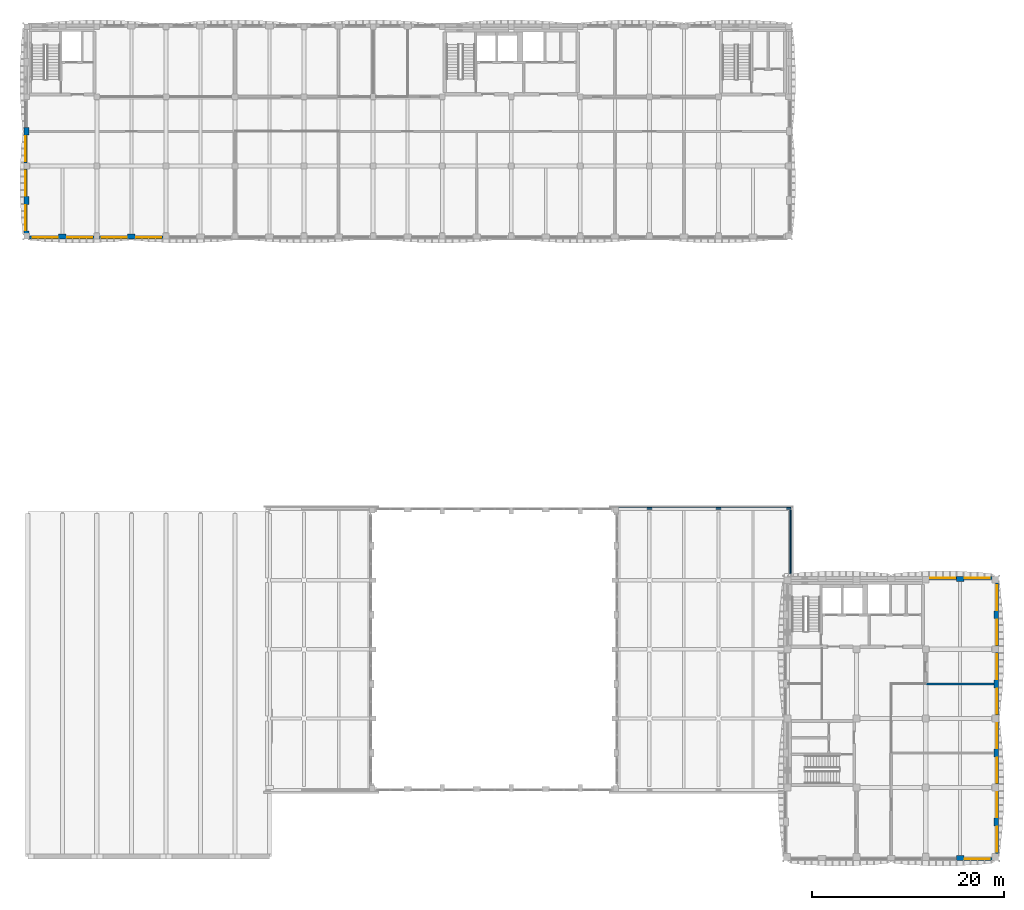
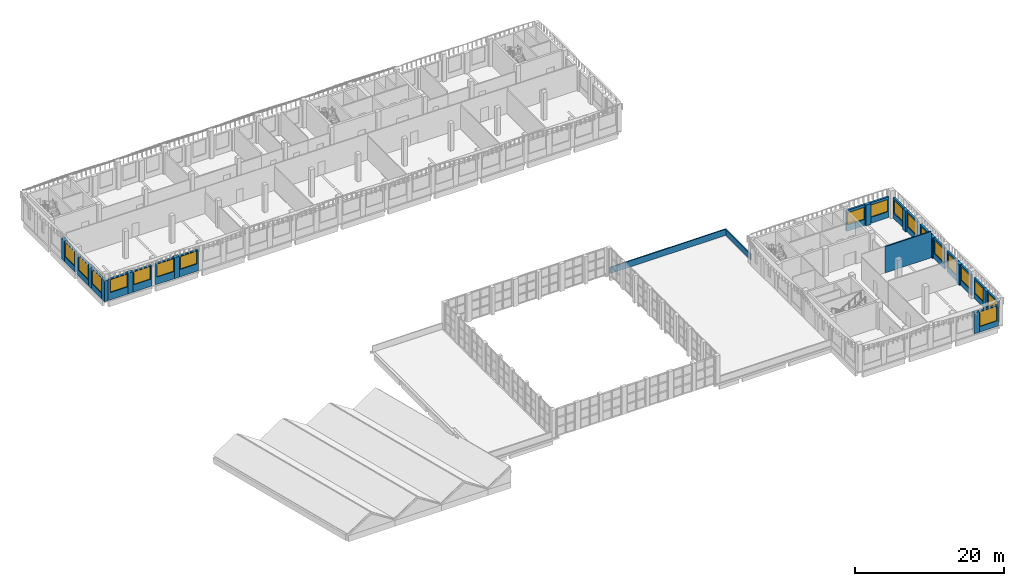
# One storey, part 16 of 44: 32 walls, 18 windows, 18 openings.
"""IFC4 building model written with IfcOpenShell, lengths in metres."""

from ifc_helpers import new_model, si_unit, direction, frame, frame_2d, origin, place, context, subcontext, project, spatial, rectangle, extrude, material, layer, layer_set, type_object, element, fill, save


model = new_model("IFC4")

# Units and contexts
model_context = context("Model", 3, precision=1e-05, world=origin(), true_north=direction((0.0, 1.0)))
body_context = subcontext(model_context, "Body", "Model", "MODEL_VIEW")
ifc_project = project(units=[si_unit("LENGTHUNIT", "METRE"), si_unit("AREAUNIT", "SQUARE_METRE"), si_unit("VOLUMEUNIT", "CUBIC_METRE"), si_unit("PLANEANGLEUNIT", "RADIAN"), si_unit("MASSUNIT", "GRAM", prefix="KILO")], contexts=[model_context])

# Site, building, storey
site_placement = place(None, origin())
site = spatial("IfcSite", under=ifc_project, at=site_placement, CompositionType="ELEMENT")
building_placement = place(site_placement, origin())
building = spatial("IfcBuilding", under=site, at=building_placement, Name="Ussher Court Research Institute", CompositionType="ELEMENT")
storey_placement = place(building_placement, frame((0.0, 0.0, 18.89990234375)))
storey = spatial("IfcBuildingStorey", under=building, at=storey_placement, Name="L04", CompositionType="ELEMENT", Elevation=18.89990234375)

# Wall
ifc_material_1 = material(Name="Plasterboard on steel studs with mineral wool", Category="steel")
ifc_layer_1 = layer(ifc_material_1, 0.179931640625)
ifc_layer_set_1 = layer_set([ifc_layer_1], Name="Plasterboard on steel studs with mineral wool")
wall_type_1 = type_object("IfcWallType", Name="Acoustic twin-stud partition 180", PredefinedType="PARTITIONING", material=ifc_layer_set_1)
wall_1_placement = place(storey_placement, frame((96.60009765625, 22.0, 0.0), z_axis=(0.0, 0.0, 1.0), x_axis=(1.0, 0.0, 0.0)))
element("IfcWall", 1, at=wall_1_placement, inside=storey, type_object=wall_type_1, Name="Partition", PredefinedType="PARTITIONING", context=body_context, shape_type="SweptSolid", body=[
    extrude(rectangle(XDim=7.099853515625, YDim=0.179931640625, at=frame_2d((3.5498046875, 0.0))), origin(), (0.0, 0.0, 1.0), 4.300048828125),
])

# Wall, opening, window
ifc_material_2 = material(Name="Blockwork with cream render", Category="masonry")
ifc_layer_2 = layer(ifc_material_2, 0.300048828125)
ifc_layer_set_2 = layer_set([ifc_layer_2], Name="Blockwork with cream render")
wall_type_2 = type_object("IfcWallType", Name="External wall 300 cream render", PredefinedType="SOLIDWALL", material=ifc_layer_set_2)
wall_2_placement = place(storey_placement, frame((96.949951171875, 33.050048828125, 0.0), z_axis=(0.0, 0.0, 1.0), x_axis=(1.0, 0.0, 0.0)))
wall_2 = element("IfcWall", 2, at=wall_2_placement, inside=storey, type_object=wall_type_2, Name="External wall EW1 L04", PredefinedType="SOLIDWALL", context=body_context, shape_type="SweptSolid", body=[
    extrude(rectangle(XDim=2.85009765625, YDim=0.300048828125, at=frame_2d((1.425048828125, 0.0))), origin(), (0.0, 0.0, 1.0), 3.400146484375),
])
opening_1_placement = place(wall_2_placement, frame((0.14990234375, 0.0, 1.0)))
opening_1 = element("IfcOpeningElement", 3, at=opening_1_placement, cuts=wall_2, Name="Opening W15", PredefinedType="OPENING", context=body_context, shape_type="SweptSolid", body=[
    extrude(rectangle(XDim=2.60009765625, YDim=2.0, at=frame_2d((1.300048828125, 1.0))), frame((0.0, 0.16015625, 0.0), z_axis=(0.0, -1.0, 0.0), x_axis=(1.0, 0.0, 0.0)), (0.0, 0.0, 1.0), 0.320068359375),
])
ifc_material_3 = material(Name="Bronze anodised aluminium with double glazing", Category="aluminium")
window_type_1 = type_object("IfcWindowType", Name="Service side laboratory window 2600x2000", PartitioningType="DOUBLE_PANEL_VERTICAL", PredefinedType="WINDOW", material=ifc_material_3)
window_1_placement = place(opening_1_placement, origin())
window_1 = element("IfcWindow", 4, at=window_1_placement, inside=storey, type_object=window_type_1, Name="Window W15 L04", OverallHeight=2.0, OverallWidth=2.60009765625, PartitioningType="SINGLE_PANEL", PredefinedType="WINDOW", context=body_context, shape_type="SweptSolid", body=[
    extrude(rectangle(XDim=2.60009765625, YDim=2.0, at=frame_2d((1.300048828125, 1.0))), frame((0.0, 0.030029296875, 0.0), z_axis=(0.0, -1.0, 0.0), x_axis=(1.0, 0.0, 0.0)), (0.0, 0.0, 1.0), 0.06005859375),
])
fill(opening_1, window_1)

wall_3_placement = place(storey_placement, frame((100.60009765625, 33.050048828125, 0.0), z_axis=(0.0, 0.0, 1.0), x_axis=(1.0, 0.0, 0.0)))
wall_3 = element("IfcWall", 5, at=wall_3_placement, inside=storey, type_object=wall_type_2, Name="External wall EW1 L04", PredefinedType="SOLIDWALL", context=body_context, shape_type="SweptSolid", body=[
    extrude(rectangle(XDim=2.89990234375, YDim=0.300048828125, at=frame_2d((1.449951171875, 0.0))), origin(), (0.0, 0.0, 1.0), 3.400146484375),
])
opening_2_placement = place(wall_3_placement, frame((0.10009765625, 0.0, 1.0)))
opening_2 = element("IfcOpeningElement", 6, at=opening_2_placement, cuts=wall_3, Name="Opening W15", PredefinedType="OPENING", context=body_context, shape_type="SweptSolid", body=[
    extrude(rectangle(XDim=2.60009765625, YDim=2.0, at=frame_2d((1.300048828125, 1.0))), frame((0.0, 0.16015625, 0.0), z_axis=(0.0, -1.0, 0.0), x_axis=(1.0, 0.0, 0.0)), (0.0, 0.0, 1.0), 0.320068359375),
])
window_2_placement = place(opening_2_placement, origin())
window_2 = element("IfcWindow", 7, at=window_2_placement, inside=storey, type_object=window_type_1, Name="Window W15 L04", OverallHeight=2.0, OverallWidth=2.60009765625, PartitioningType="SINGLE_PANEL", PredefinedType="WINDOW", context=body_context, shape_type="SweptSolid", body=[
    extrude(rectangle(XDim=2.60009765625, YDim=2.0, at=frame_2d((1.300048828125, 1.0))), frame((0.0, 0.030029296875, 0.0), z_axis=(0.0, -1.0, 0.0), x_axis=(1.0, 0.0, 0.0)), (0.0, 0.0, 1.0), 0.06005859375),
])
fill(opening_2, window_2)

wall_4_placement = place(storey_placement, frame((104.050048828125, 32.5, 0.0), z_axis=(0.0, 0.0, 1.0), x_axis=(0.0, -1.0, 0.0)))
wall_4 = element("IfcWall", 8, at=wall_4_placement, inside=storey, type_object=wall_type_2, Name="External wall EW1 L04", PredefinedType="SOLIDWALL", context=body_context, shape_type="SweptSolid", body=[
    extrude(rectangle(XDim=2.89990234375, YDim=0.300048828125, at=frame_2d((1.449951171875, 0.0))), origin(), (0.0, 0.0, 1.0), 3.400146484375),
])
opening_3_placement = place(wall_4_placement, frame((0.199951171875, 0.0, 0.89990234375)))
opening_3 = element("IfcOpeningElement", 9, at=opening_3_placement, cuts=wall_4, Name="Opening W13", PredefinedType="OPENING", context=body_context, shape_type="SweptSolid", body=[
    extrude(rectangle(XDim=2.60009765625, YDim=2.199951171875, at=frame_2d((1.300048828125, 1.10009765625))), frame((0.0, 0.16015625, 0.0), z_axis=(0.0, -1.0, 0.0), x_axis=(1.0, 0.0, 0.0)), (0.0, 0.0, 1.0), 0.320068359375),
])
ifc_material_4 = material(Name="Bronze anodised aluminium with double glazing", Category="aluminium")
window_type_2 = type_object("IfcWindowType", Name="East laboratory window 2600x2200", PartitioningType="DOUBLE_PANEL_VERTICAL", PredefinedType="WINDOW", material=ifc_material_4)
window_3_placement = place(opening_3_placement, origin())
window_3 = element("IfcWindow", 10, at=window_3_placement, inside=storey, type_object=window_type_2, Name="Window W13 L04", OverallHeight=2.199951171875, OverallWidth=2.60009765625, PartitioningType="SINGLE_PANEL", PredefinedType="WINDOW", context=body_context, shape_type="SweptSolid", body=[
    extrude(rectangle(XDim=2.60009765625, YDim=2.199951171875, at=frame_2d((1.300048828125, 1.10009765625))), frame((0.0, 0.030029296875, 0.0), z_axis=(0.0, -1.0, 0.0), x_axis=(1.0, 0.0, 0.0)), (0.0, 0.0, 1.0), 0.06005859375),
])
fill(opening_3, window_3)

wall_5_placement = place(storey_placement, frame((104.050048828125, 28.800048828125, 0.0), z_axis=(0.0, 0.0, 1.0), x_axis=(0.0, -1.0, 0.0)))
wall_5 = element("IfcWall", 11, at=wall_5_placement, inside=storey, type_object=wall_type_2, Name="External wall EW1 L04", PredefinedType="SOLIDWALL", context=body_context, shape_type="SweptSolid", body=[
    extrude(rectangle(XDim=2.85009765625, YDim=0.300048828125, at=frame_2d((1.425048828125, 0.0))), origin(), (0.0, 0.0, 1.0), 3.400146484375),
])
opening_4_placement = place(wall_5_placement, frame((0.10009765625, 0.0, 0.89990234375)))
opening_4 = element("IfcOpeningElement", 12, at=opening_4_placement, cuts=wall_5, Name="Opening W13", PredefinedType="OPENING", context=body_context, shape_type="SweptSolid", body=[
    extrude(rectangle(XDim=2.60009765625, YDim=2.199951171875, at=frame_2d((1.300048828125, 1.10009765625))), frame((0.0, 0.16015625, 0.0), z_axis=(0.0, -1.0, 0.0), x_axis=(1.0, 0.0, 0.0)), (0.0, 0.0, 1.0), 0.320068359375),
])
window_4_placement = place(opening_4_placement, origin())
window_4 = element("IfcWindow", 13, at=window_4_placement, inside=storey, type_object=window_type_2, Name="Window W13 L04", OverallHeight=2.199951171875, OverallWidth=2.60009765625, PartitioningType="SINGLE_PANEL", PredefinedType="WINDOW", context=body_context, shape_type="SweptSolid", body=[
    extrude(rectangle(XDim=2.60009765625, YDim=2.199951171875, at=frame_2d((1.300048828125, 1.10009765625))), frame((0.0, 0.030029296875, 0.0), z_axis=(0.0, -1.0, 0.0), x_axis=(1.0, 0.0, 0.0)), (0.0, 0.0, 1.0), 0.06005859375),
])
fill(opening_4, window_4)

wall_6_placement = place(storey_placement, frame((104.050048828125, 25.25, 0.0), z_axis=(0.0, 0.0, 1.0), x_axis=(0.0, -1.0, 0.0)))
wall_6 = element("IfcWall", 14, at=wall_6_placement, inside=storey, type_object=wall_type_2, Name="External wall EW1 L04", PredefinedType="SOLIDWALL", context=body_context, shape_type="SweptSolid", body=[
    extrude(rectangle(XDim=2.85009765625, YDim=0.300048828125, at=frame_2d((1.425048828125, 0.0))), origin(), (0.0, 0.0, 1.0), 3.400146484375),
])
opening_5_placement = place(wall_6_placement, frame((0.14990234375, 0.0, 0.89990234375)))
opening_5 = element("IfcOpeningElement", 15, at=opening_5_placement, cuts=wall_6, Name="Opening W13", PredefinedType="OPENING", context=body_context, shape_type="SweptSolid", body=[
    extrude(rectangle(XDim=2.60009765625, YDim=2.199951171875, at=frame_2d((1.300048828125, 1.10009765625))), frame((0.0, 0.16015625, 0.0), z_axis=(0.0, -1.0, 0.0), x_axis=(1.0, 0.0, 0.0)), (0.0, 0.0, 1.0), 0.320068359375),
])
window_5_placement = place(opening_5_placement, origin())
window_5 = element("IfcWindow", 16, at=window_5_placement, inside=storey, type_object=window_type_2, Name="Window W13 L04", OverallHeight=2.199951171875, OverallWidth=2.60009765625, PartitioningType="SINGLE_PANEL", PredefinedType="WINDOW", context=body_context, shape_type="SweptSolid", body=[
    extrude(rectangle(XDim=2.60009765625, YDim=2.199951171875, at=frame_2d((1.300048828125, 1.10009765625))), frame((0.0, 0.030029296875, 0.0), z_axis=(0.0, -1.0, 0.0), x_axis=(1.0, 0.0, 0.0)), (0.0, 0.0, 1.0), 0.06005859375),
])
fill(opening_5, window_5)

wall_7_placement = place(storey_placement, frame((104.050048828125, 21.60009765625, 0.0), z_axis=(0.0, 0.0, 1.0), x_axis=(0.0, -1.0, 0.0)))
wall_7 = element("IfcWall", 17, at=wall_7_placement, inside=storey, type_object=wall_type_2, Name="External wall EW1 L04", PredefinedType="SOLIDWALL", context=body_context, shape_type="SweptSolid", body=[
    extrude(rectangle(XDim=2.85009765625, YDim=0.300048828125, at=frame_2d((1.425048828125, 0.0))), origin(), (0.0, 0.0, 1.0), 3.400146484375),
])
opening_6_placement = place(wall_7_placement, frame((0.10009765625, 0.0, 0.89990234375)))
opening_6 = element("IfcOpeningElement", 18, at=opening_6_placement, cuts=wall_7, Name="Opening W13", PredefinedType="OPENING", context=body_context, shape_type="SweptSolid", body=[
    extrude(rectangle(XDim=2.60009765625, YDim=2.199951171875, at=frame_2d((1.300048828125, 1.10009765625))), frame((0.0, 0.16015625, 0.0), z_axis=(0.0, -1.0, 0.0), x_axis=(1.0, 0.0, 0.0)), (0.0, 0.0, 1.0), 0.320068359375),
])
window_6_placement = place(opening_6_placement, origin())
window_6 = element("IfcWindow", 19, at=window_6_placement, inside=storey, type_object=window_type_2, Name="Window W13 L04", OverallHeight=2.199951171875, OverallWidth=2.60009765625, PartitioningType="SINGLE_PANEL", PredefinedType="WINDOW", context=body_context, shape_type="SweptSolid", body=[
    extrude(rectangle(XDim=2.60009765625, YDim=2.199951171875, at=frame_2d((1.300048828125, 1.10009765625))), frame((0.0, 0.030029296875, 0.0), z_axis=(0.0, -1.0, 0.0), x_axis=(1.0, 0.0, 0.0)), (0.0, 0.0, 1.0), 0.06005859375),
])
fill(opening_6, window_6)

wall_8_placement = place(storey_placement, frame((104.050048828125, 18.050048828125, 0.0), z_axis=(0.0, 0.0, 1.0), x_axis=(0.0, -1.0, 0.0)))
wall_8 = element("IfcWall", 20, at=wall_8_placement, inside=storey, type_object=wall_type_2, Name="External wall EW1 L04", PredefinedType="SOLIDWALL", context=body_context, shape_type="SweptSolid", body=[
    extrude(rectangle(XDim=2.85009765625, YDim=0.300048828125, at=frame_2d((1.425048828125, 0.0))), origin(), (0.0, 0.0, 1.0), 3.400146484375),
])
opening_7_placement = place(wall_8_placement, frame((0.14990234375, 0.0, 0.89990234375)))
opening_7 = element("IfcOpeningElement", 21, at=opening_7_placement, cuts=wall_8, Name="Opening W13", PredefinedType="OPENING", context=body_context, shape_type="SweptSolid", body=[
    extrude(rectangle(XDim=2.60009765625, YDim=2.199951171875, at=frame_2d((1.300048828125, 1.10009765625))), frame((0.0, 0.16015625, 0.0), z_axis=(0.0, -1.0, 0.0), x_axis=(1.0, 0.0, 0.0)), (0.0, 0.0, 1.0), 0.320068359375),
])
window_7_placement = place(opening_7_placement, origin())
window_7 = element("IfcWindow", 22, at=window_7_placement, inside=storey, type_object=window_type_2, Name="Window W13 L04", OverallHeight=2.199951171875, OverallWidth=2.60009765625, PartitioningType="SINGLE_PANEL", PredefinedType="WINDOW", context=body_context, shape_type="SweptSolid", body=[
    extrude(rectangle(XDim=2.60009765625, YDim=2.199951171875, at=frame_2d((1.300048828125, 1.10009765625))), frame((0.0, 0.030029296875, 0.0), z_axis=(0.0, -1.0, 0.0), x_axis=(1.0, 0.0, 0.0)), (0.0, 0.0, 1.0), 0.06005859375),
])
fill(opening_7, window_7)

wall_9_placement = place(storey_placement, frame((104.050048828125, 14.39990234375, 0.0), z_axis=(0.0, 0.0, 1.0), x_axis=(0.0, -1.0, 0.0)))
wall_9 = element("IfcWall", 23, at=wall_9_placement, inside=storey, type_object=wall_type_2, Name="External wall EW1 L04", PredefinedType="SOLIDWALL", context=body_context, shape_type="SweptSolid", body=[
    extrude(rectangle(XDim=2.849853515625, YDim=0.300048828125, at=frame_2d((1.4248046875, 0.0))), origin(), (0.0, 0.0, 1.0), 3.400146484375),
])
opening_8_placement = place(wall_9_placement, frame((0.10009765625, 0.0, 0.89990234375)))
opening_8 = element("IfcOpeningElement", 24, at=opening_8_placement, cuts=wall_9, Name="Opening W13", PredefinedType="OPENING", context=body_context, shape_type="SweptSolid", body=[
    extrude(rectangle(XDim=2.60009765625, YDim=2.199951171875, at=frame_2d((1.300048828125, 1.10009765625))), frame((0.0, 0.16015625, 0.0), z_axis=(0.0, -1.0, 0.0), x_axis=(1.0, 0.0, 0.0)), (0.0, 0.0, 1.0), 0.320068359375),
])
window_8_placement = place(opening_8_placement, origin())
window_8 = element("IfcWindow", 25, at=window_8_placement, inside=storey, type_object=window_type_2, Name="Window W13 L04", OverallHeight=2.199951171875, OverallWidth=2.60009765625, PartitioningType="SINGLE_PANEL", PredefinedType="WINDOW", context=body_context, shape_type="SweptSolid", body=[
    extrude(rectangle(XDim=2.60009765625, YDim=2.199951171875, at=frame_2d((1.300048828125, 1.10009765625))), frame((0.0, 0.030029296875, 0.0), z_axis=(0.0, -1.0, 0.0), x_axis=(1.0, 0.0, 0.0)), (0.0, 0.0, 1.0), 0.06005859375),
])
fill(opening_8, window_8)

wall_10_placement = place(storey_placement, frame((104.050048828125, 10.85009765625, 0.0), z_axis=(0.0, 0.0, 1.0), x_axis=(0.0, -1.0, 0.0)))
wall_10 = element("IfcWall", 26, at=wall_10_placement, inside=storey, type_object=wall_type_2, Name="External wall EW1 L04", PredefinedType="SOLIDWALL", context=body_context, shape_type="SweptSolid", body=[
    extrude(rectangle(XDim=2.85009765625, YDim=0.300048828125, at=frame_2d((1.425048828125, 0.0))), origin(), (0.0, 0.0, 1.0), 3.400146484375),
])
opening_9_placement = place(wall_10_placement, frame((0.14990234375, 0.0, 0.89990234375)))
opening_9 = element("IfcOpeningElement", 27, at=opening_9_placement, cuts=wall_10, Name="Opening W13", PredefinedType="OPENING", context=body_context, shape_type="SweptSolid", body=[
    extrude(rectangle(XDim=2.60009765625, YDim=2.199951171875, at=frame_2d((1.300048828125, 1.10009765625))), frame((0.0, 0.16015625, 0.0), z_axis=(0.0, -1.0, 0.0), x_axis=(1.0, 0.0, 0.0)), (0.0, 0.0, 1.0), 0.320068359375),
])
window_9_placement = place(opening_9_placement, origin())
window_9 = element("IfcWindow", 28, at=window_9_placement, inside=storey, type_object=window_type_2, Name="Window W13 L04", OverallHeight=2.199951171875, OverallWidth=2.60009765625, PartitioningType="SINGLE_PANEL", PredefinedType="WINDOW", context=body_context, shape_type="SweptSolid", body=[
    extrude(rectangle(XDim=2.60009765625, YDim=2.199951171875, at=frame_2d((1.300048828125, 1.10009765625))), frame((0.0, 0.030029296875, 0.0), z_axis=(0.0, -1.0, 0.0), x_axis=(1.0, 0.0, 0.0)), (0.0, 0.0, 1.0), 0.06005859375),
])
fill(opening_9, window_9)

wall_11_placement = place(storey_placement, frame((104.050048828125, 7.199951171875, 0.0), z_axis=(0.0, 0.0, 1.0), x_axis=(0.0, -1.0, 0.0)))
wall_11 = element("IfcWall", 29, at=wall_11_placement, inside=storey, type_object=wall_type_2, Name="External wall EW1 L04", PredefinedType="SOLIDWALL", context=body_context, shape_type="SweptSolid", body=[
    extrude(rectangle(XDim=2.89990234375, YDim=0.300048828125, at=frame_2d((1.449951171875, 0.0))), origin(), (0.0, 0.0, 1.0), 3.400146484375),
])
opening_10_placement = place(wall_11_placement, frame((0.10009765625, 0.0, 0.89990234375)))
opening_10 = element("IfcOpeningElement", 30, at=opening_10_placement, cuts=wall_11, Name="Opening W13", PredefinedType="OPENING", context=body_context, shape_type="SweptSolid", body=[
    extrude(rectangle(XDim=2.60009765625, YDim=2.199951171875, at=frame_2d((1.300048828125, 1.10009765625))), frame((0.0, 0.16015625, 0.0), z_axis=(0.0, -1.0, 0.0), x_axis=(1.0, 0.0, 0.0)), (0.0, 0.0, 1.0), 0.320068359375),
])
window_10_placement = place(opening_10_placement, origin())
window_10 = element("IfcWindow", 31, at=window_10_placement, inside=storey, type_object=window_type_2, Name="Window W13 L04", OverallHeight=2.199951171875, OverallWidth=2.60009765625, PartitioningType="SINGLE_PANEL", PredefinedType="WINDOW", context=body_context, shape_type="SweptSolid", body=[
    extrude(rectangle(XDim=2.60009765625, YDim=2.199951171875, at=frame_2d((1.300048828125, 1.10009765625))), frame((0.0, 0.030029296875, 0.0), z_axis=(0.0, -1.0, 0.0), x_axis=(1.0, 0.0, 0.0)), (0.0, 0.0, 1.0), 0.06005859375),
])
fill(opening_10, window_10)

wall_12_placement = place(storey_placement, frame((103.5, 3.75, 0.0), z_axis=(0.0, 0.0, 1.0), x_axis=(-1.0, 0.0, 0.0)))
wall_12 = element("IfcWall", 32, at=wall_12_placement, inside=storey, type_object=wall_type_2, Name="External wall EW1 L04", PredefinedType="SOLIDWALL", context=body_context, shape_type="SweptSolid", body=[
    extrude(rectangle(XDim=2.89990234375, YDim=0.300048828125, at=frame_2d((1.449951171875, 0.0))), origin(), (0.0, 0.0, 1.0), 3.400146484375),
])
opening_11_placement = place(wall_12_placement, frame((0.199951171875, 0.0, 0.89990234375)))
opening_11 = element("IfcOpeningElement", 33, at=opening_11_placement, cuts=wall_12, Name="Opening W01", PredefinedType="OPENING", context=body_context, shape_type="SweptSolid", body=[
    extrude(rectangle(XDim=2.60009765625, YDim=2.39990234375, at=frame_2d((1.300048828125, 1.199951171875))), frame((0.0, 0.16015625, 0.0), z_axis=(0.0, -1.0, 0.0), x_axis=(1.0, 0.0, 0.0)), (0.0, 0.0, 1.0), 0.320068359375),
])
ifc_material_5 = material(Name="Bronze anodised aluminium with double glazing", Category="aluminium")
window_type_3 = type_object("IfcWindowType", Name="Laboratory bay window 2600x2400", PartitioningType="DOUBLE_PANEL_VERTICAL", PredefinedType="WINDOW", material=ifc_material_5)
window_11_placement = place(opening_11_placement, origin())
window_11 = element("IfcWindow", 34, at=window_11_placement, inside=storey, type_object=window_type_3, Name="Window W01 L04", OverallHeight=2.39990234375, OverallWidth=2.60009765625, PartitioningType="SINGLE_PANEL", PredefinedType="WINDOW", context=body_context, shape_type="SweptSolid", body=[
    extrude(rectangle(XDim=2.60009765625, YDim=2.39990234375, at=frame_2d((1.300048828125, 1.199951171875))), frame((0.0, 0.030029296875, 0.0), z_axis=(0.0, -1.0, 0.0), x_axis=(1.0, 0.0, 0.0)), (0.0, 0.0, 1.0), 0.06005859375),
])
fill(opening_11, window_11)

wall_13_placement = place(storey_placement, frame((17.10009765625, 68.550048828125, 0.0), z_axis=(0.0, 0.0, 1.0), x_axis=(-1.0, 0.0, 0.0)))
wall_13 = element("IfcWall", 35, at=wall_13_placement, inside=storey, type_object=wall_type_2, Name="External wall EW1 L04", PredefinedType="SOLIDWALL", context=body_context, shape_type="SweptSolid", body=[
    extrude(rectangle(XDim=2.900146484375, YDim=0.300048828125, at=frame_2d((1.4501953125, 0.0))), origin(), (0.0, 0.0, 1.0), 3.400146484375),
])
opening_12_placement = place(wall_13_placement, frame((0.199951171875, 0.0, 1.199951171875)))
opening_12 = element("IfcOpeningElement", 36, at=opening_12_placement, cuts=wall_13, Name="Opening W08", PredefinedType="OPENING", context=body_context, shape_type="SweptSolid", body=[
    extrude(rectangle(XDim=2.60009765625, YDim=2.10009765625, at=frame_2d((1.300048828125, 1.050048828125))), frame((0.0, 0.16015625, 0.0), z_axis=(0.0, -1.0, 0.0), x_axis=(1.0, 0.0, 0.0)), (0.0, 0.0, 1.0), 0.320068359375),
])
ifc_material_6 = material(Name="Bronze anodised aluminium with double glazing", Category="aluminium")
window_type_4 = type_object("IfcWindowType", Name="Dry laboratory bay window 2600x2100", PartitioningType="DOUBLE_PANEL_VERTICAL", PredefinedType="WINDOW", material=ifc_material_6)
window_12_placement = place(opening_12_placement, origin())
window_12 = element("IfcWindow", 37, at=window_12_placement, inside=storey, type_object=window_type_4, Name="Window W08 L04", OverallHeight=2.10009765625, OverallWidth=2.60009765625, PartitioningType="SINGLE_PANEL", PredefinedType="WINDOW", context=body_context, shape_type="SweptSolid", body=[
    extrude(rectangle(XDim=2.60009765625, YDim=2.10009765625, at=frame_2d((1.300048828125, 1.050048828125))), frame((0.0, 0.030029296875, 0.0), z_axis=(0.0, -1.0, 0.0), x_axis=(1.0, 0.0, 0.0)), (0.0, 0.0, 1.0), 0.06005859375),
])
fill(opening_12, window_12)

wall_14_placement = place(storey_placement, frame((13.39990234375, 68.550048828125, 0.0), z_axis=(0.0, 0.0, 1.0), x_axis=(-1.0, 0.0, 0.0)))
wall_14 = element("IfcWall", 38, at=wall_14_placement, inside=storey, type_object=wall_type_2, Name="External wall EW1 L04", PredefinedType="SOLIDWALL", context=body_context, shape_type="SweptSolid", body=[
    extrude(rectangle(XDim=2.89990234375, YDim=0.300048828125, at=frame_2d((1.449951171875, 0.0))), origin(), (0.0, 0.0, 1.0), 3.400146484375),
])
opening_13_placement = place(wall_14_placement, frame((0.10009765625, 0.0, 1.199951171875)))
opening_13 = element("IfcOpeningElement", 39, at=opening_13_placement, cuts=wall_14, Name="Opening W08", PredefinedType="OPENING", context=body_context, shape_type="SweptSolid", body=[
    extrude(rectangle(XDim=2.60009765625, YDim=2.10009765625, at=frame_2d((1.300048828125, 1.050048828125))), frame((0.0, 0.16015625, 0.0), z_axis=(0.0, -1.0, 0.0), x_axis=(1.0, 0.0, 0.0)), (0.0, 0.0, 1.0), 0.320068359375),
])
window_13_placement = place(opening_13_placement, origin())
window_13 = element("IfcWindow", 40, at=window_13_placement, inside=storey, type_object=window_type_4, Name="Window W08 L04", OverallHeight=2.10009765625, OverallWidth=2.60009765625, PartitioningType="SINGLE_PANEL", PredefinedType="WINDOW", context=body_context, shape_type="SweptSolid", body=[
    extrude(rectangle(XDim=2.60009765625, YDim=2.10009765625, at=frame_2d((1.300048828125, 1.050048828125))), frame((0.0, 0.030029296875, 0.0), z_axis=(0.0, -1.0, 0.0), x_axis=(1.0, 0.0, 0.0)), (0.0, 0.0, 1.0), 0.06005859375),
])
fill(opening_13, window_13)

wall_15_placement = place(storey_placement, frame((9.89990234375, 68.550048828125, 0.0), z_axis=(0.0, 0.0, 1.0), x_axis=(-1.0, 0.0, 0.0)))
wall_15 = element("IfcWall", 41, at=wall_15_placement, inside=storey, type_object=wall_type_2, Name="External wall EW1 L04", PredefinedType="SOLIDWALL", context=body_context, shape_type="SweptSolid", body=[
    extrude(rectangle(XDim=2.89990234375, YDim=0.300048828125, at=frame_2d((1.449951171875, 0.0))), origin(), (0.0, 0.0, 1.0), 3.400146484375),
])
opening_14_placement = place(wall_15_placement, frame((0.199951171875, 0.0, 1.199951171875)))
opening_14 = element("IfcOpeningElement", 42, at=opening_14_placement, cuts=wall_15, Name="Opening W08", PredefinedType="OPENING", context=body_context, shape_type="SweptSolid", body=[
    extrude(rectangle(XDim=2.60009765625, YDim=2.10009765625, at=frame_2d((1.300048828125, 1.050048828125))), frame((0.0, 0.16015625, 0.0), z_axis=(0.0, -1.0, 0.0), x_axis=(1.0, 0.0, 0.0)), (0.0, 0.0, 1.0), 0.320068359375),
])
window_14_placement = place(opening_14_placement, origin())
window_14 = element("IfcWindow", 43, at=window_14_placement, inside=storey, type_object=window_type_4, Name="Window W08 L04", OverallHeight=2.10009765625, OverallWidth=2.60009765625, PartitioningType="SINGLE_PANEL", PredefinedType="WINDOW", context=body_context, shape_type="SweptSolid", body=[
    extrude(rectangle(XDim=2.60009765625, YDim=2.10009765625, at=frame_2d((1.300048828125, 1.050048828125))), frame((0.0, 0.030029296875, 0.0), z_axis=(0.0, -1.0, 0.0), x_axis=(1.0, 0.0, 0.0)), (0.0, 0.0, 1.0), 0.06005859375),
])
fill(opening_14, window_14)

wall_16_placement = place(storey_placement, frame((6.199951171875, 68.550048828125, 0.0), z_axis=(0.0, 0.0, 1.0), x_axis=(-1.0, 0.0, 0.0)))
wall_16 = element("IfcWall", 44, at=wall_16_placement, inside=storey, type_object=wall_type_2, Name="External wall EW1 L04", PredefinedType="SOLIDWALL", context=body_context, shape_type="SweptSolid", body=[
    extrude(rectangle(XDim=3.0, YDim=0.300048828125, at=frame_2d((1.5, 0.0))), origin(), (0.0, 0.0, 1.0), 3.400146484375),
])
opening_15_placement = place(wall_16_placement, frame((0.10009765625, 0.0, 1.199951171875)))
opening_15 = element("IfcOpeningElement", 45, at=opening_15_placement, cuts=wall_16, Name="Opening W08", PredefinedType="OPENING", context=body_context, shape_type="SweptSolid", body=[
    extrude(rectangle(XDim=2.60009765625, YDim=2.10009765625, at=frame_2d((1.300048828125, 1.050048828125))), frame((0.0, 0.16015625, 0.0), z_axis=(0.0, -1.0, 0.0), x_axis=(1.0, 0.0, 0.0)), (0.0, 0.0, 1.0), 0.320068359375),
])
window_15_placement = place(opening_15_placement, origin())
window_15 = element("IfcWindow", 46, at=window_15_placement, inside=storey, type_object=window_type_4, Name="Window W08 L04", OverallHeight=2.10009765625, OverallWidth=2.60009765625, PartitioningType="SINGLE_PANEL", PredefinedType="WINDOW", context=body_context, shape_type="SweptSolid", body=[
    extrude(rectangle(XDim=2.60009765625, YDim=2.10009765625, at=frame_2d((1.300048828125, 1.050048828125))), frame((0.0, 0.030029296875, 0.0), z_axis=(0.0, -1.0, 0.0), x_axis=(1.0, 0.0, 0.0)), (0.0, 0.0, 1.0), 0.06005859375),
])
fill(opening_15, window_15)

wall_17_placement = place(storey_placement, frame((2.75, 69.199951171875, 0.0), z_axis=(0.0, 0.0, 1.0), x_axis=(0.0, 1.0, 0.0)))
wall_17 = element("IfcWall", 47, at=wall_17_placement, inside=storey, type_object=wall_type_2, Name="External wall EW1 L04", PredefinedType="SOLIDWALL", context=body_context, shape_type="SweptSolid", body=[
    extrude(rectangle(XDim=2.800048828125, YDim=0.300048828125, at=frame_2d((1.39990234375, 0.0))), origin(), (0.0, 0.0, 1.0), 3.400146484375),
])
opening_16_placement = place(wall_17_placement, frame((0.10009765625, 0.0, 0.89990234375)))
opening_16 = element("IfcOpeningElement", 48, at=opening_16_placement, cuts=wall_17, Name="Opening W01", PredefinedType="OPENING", context=body_context, shape_type="SweptSolid", body=[
    extrude(rectangle(XDim=2.60009765625, YDim=2.39990234375, at=frame_2d((1.300048828125, 1.199951171875))), frame((0.0, 0.16015625, 0.0), z_axis=(0.0, -1.0, 0.0), x_axis=(1.0, 0.0, 0.0)), (0.0, 0.0, 1.0), 0.320068359375),
])
window_16_placement = place(opening_16_placement, origin())
window_16 = element("IfcWindow", 49, at=window_16_placement, inside=storey, type_object=window_type_3, Name="Window W01 L04", OverallHeight=2.39990234375, OverallWidth=2.60009765625, PartitioningType="SINGLE_PANEL", PredefinedType="WINDOW", context=body_context, shape_type="SweptSolid", body=[
    extrude(rectangle(XDim=2.60009765625, YDim=2.39990234375, at=frame_2d((1.300048828125, 1.199951171875))), frame((0.0, 0.030029296875, 0.0), z_axis=(0.0, -1.0, 0.0), x_axis=(1.0, 0.0, 0.0)), (0.0, 0.0, 1.0), 0.06005859375),
])
fill(opening_16, window_16)

wall_18_placement = place(storey_placement, frame((2.75, 72.800048828125, 0.0), z_axis=(0.0, 0.0, 1.0), x_axis=(0.0, 1.0, 0.0)))
wall_18 = element("IfcWall", 50, at=wall_18_placement, inside=storey, type_object=wall_type_2, Name="External wall EW1 L04", PredefinedType="SOLIDWALL", context=body_context, shape_type="SweptSolid", body=[
    extrude(rectangle(XDim=2.89990234375, YDim=0.300048828125, at=frame_2d((1.449951171875, 0.0))), origin(), (0.0, 0.0, 1.0), 3.400146484375),
])
opening_17_placement = place(wall_18_placement, frame((0.10009765625, 0.0, 0.89990234375)))
opening_17 = element("IfcOpeningElement", 51, at=opening_17_placement, cuts=wall_18, Name="Opening W01", PredefinedType="OPENING", context=body_context, shape_type="SweptSolid", body=[
    extrude(rectangle(XDim=2.60009765625, YDim=2.39990234375, at=frame_2d((1.300048828125, 1.199951171875))), frame((0.0, 0.16015625, 0.0), z_axis=(0.0, -1.0, 0.0), x_axis=(1.0, 0.0, 0.0)), (0.0, 0.0, 1.0), 0.320068359375),
])
window_17_placement = place(opening_17_placement, origin())
window_17 = element("IfcWindow", 52, at=window_17_placement, inside=storey, type_object=window_type_3, Name="Window W01 L04", OverallHeight=2.39990234375, OverallWidth=2.60009765625, PartitioningType="SINGLE_PANEL", PredefinedType="WINDOW", context=body_context, shape_type="SweptSolid", body=[
    extrude(rectangle(XDim=2.60009765625, YDim=2.39990234375, at=frame_2d((1.300048828125, 1.199951171875))), frame((0.0, 0.030029296875, 0.0), z_axis=(0.0, -1.0, 0.0), x_axis=(1.0, 0.0, 0.0)), (0.0, 0.0, 1.0), 0.06005859375),
])
fill(opening_17, window_17)

wall_19_placement = place(storey_placement, frame((2.75, 76.300048828125, 0.0), z_axis=(0.0, 0.0, 1.0), x_axis=(0.0, 1.0, 0.0)))
wall_19 = element("IfcWall", 53, at=wall_19_placement, inside=storey, type_object=wall_type_2, Name="External wall EW1 L04", PredefinedType="SOLIDWALL", context=body_context, shape_type="SweptSolid", body=[
    extrude(rectangle(XDim=2.89990234375, YDim=0.300048828125, at=frame_2d((1.449951171875, 0.0))), origin(), (0.0, 0.0, 1.0), 3.400146484375),
])
opening_18_placement = place(wall_19_placement, frame((0.199951171875, 0.0, 0.89990234375)))
opening_18 = element("IfcOpeningElement", 54, at=opening_18_placement, cuts=wall_19, Name="Opening W01", PredefinedType="OPENING", context=body_context, shape_type="SweptSolid", body=[
    extrude(rectangle(XDim=2.60009765625, YDim=2.39990234375, at=frame_2d((1.300048828125, 1.199951171875))), frame((0.0, 0.16015625, 0.0), z_axis=(0.0, -1.0, 0.0), x_axis=(1.0, 0.0, 0.0)), (0.0, 0.0, 1.0), 0.320068359375),
])
window_18_placement = place(opening_18_placement, origin())
window_18 = element("IfcWindow", 55, at=window_18_placement, inside=storey, type_object=window_type_3, Name="Window W01 L04", OverallHeight=2.39990234375, OverallWidth=2.60009765625, PartitioningType="SINGLE_PANEL", PredefinedType="WINDOW", context=body_context, shape_type="SweptSolid", body=[
    extrude(rectangle(XDim=2.60009765625, YDim=2.39990234375, at=frame_2d((1.300048828125, 1.199951171875))), frame((0.0, 0.030029296875, 0.0), z_axis=(0.0, -1.0, 0.0), x_axis=(1.0, 0.0, 0.0)), (0.0, 0.0, 1.0), 0.06005859375),
])
fill(opening_18, window_18)

# Walls
ifc_material_7 = material(Name="Blockwork with cream render", Category="masonry")
ifc_layer_3 = layer(ifc_material_7, 0.179931640625)
ifc_layer_set_3 = layer_set([ifc_layer_3], Name="Blockwork with cream render")
wall_type_3 = type_object("IfcWallType", Name="Parapet 180 cream render", PredefinedType="PARAPET", material=ifc_layer_set_3)
wall_20_placement = place(storey_placement, frame((82.510009765625, 33.5, 0.0), z_axis=(0.0, 0.0, 1.0), x_axis=(0.0, 1.0, 0.0)))
element("IfcWall", 56, at=wall_20_placement, inside=storey, type_object=wall_type_3, Name="Parapet PW1", PredefinedType="PARAPET", context=body_context, shape_type="SweptSolid", body=[
    extrude(rectangle(XDim=6.60009765625, YDim=0.179931640625, at=frame_2d((3.300048828125, 0.0))), origin(), (0.0, 0.0, 1.0), 1.0),
])
wall_21_placement = place(storey_placement, frame((82.60009765625, 40.31005859375, 0.0), z_axis=(0.0, 0.0, 1.0), x_axis=(-1.0, 0.0, 0.0)))
element("IfcWall", 57, at=wall_21_placement, inside=storey, type_object=wall_type_3, Name="Parapet PW1", PredefinedType="PARAPET", context=body_context, shape_type="SweptSolid", body=[
    extrude(rectangle(XDim=18.0, YDim=0.179931640625, at=frame_2d((9.0, 0.0))), origin(), (0.0, 0.0, 1.0), 1.0),
])
ifc_material_8 = material(Name="Blockwork with cream render", Category="masonry")
ifc_layer_4 = layer(ifc_material_8, 0.5)
ifc_layer_set_4 = layer_set([ifc_layer_4], Name="Blockwork with cream render")
wall_type_4 = type_object("IfcWallType", Name="Pier 800x500 cream render", PredefinedType="SOLIDWALL", material=ifc_layer_set_4)
for number, where, z_axis, x_axis, name in (
    (58, (99.800048828125, 32.949951171875, 0.0), (0.0, 0.0, 1.0), (1.0, 0.0, 0.0), "Pier PR1 L04"),
    (59, (103.949951171875, 29.60009765625, 0.0), (0.0, 0.0, 1.0), (0.0, -1.0, 0.0), "Pier PR1 L04"),
):
    element("IfcWall", number, at=place(storey_placement, frame(where, z_axis=z_axis, x_axis=x_axis)), inside=storey, type_object=wall_type_4, Name=name, PredefinedType="SOLIDWALL", context=body_context, shape_type="SweptSolid", body=[
        extrude(rectangle(XDim=0.800048828125, YDim=0.5, at=frame_2d((0.39990234375, 0.0))), origin(), (0.0, 0.0, 1.0), 3.400146484375),
    ])
wall_22_placement = place(storey_placement, frame((103.949951171875, 22.39990234375, 0.0), z_axis=(0.0, 0.0, 1.0), x_axis=(0.0, -1.0, 0.0)))
element("IfcWall", 60, at=wall_22_placement, inside=storey, type_object=wall_type_4, Name="Pier PR1 L04", PredefinedType="SOLIDWALL", context=body_context, shape_type="SweptSolid", body=[
    extrude(rectangle(XDim=0.7998046875, YDim=0.5, at=frame_2d((0.39990234375, 0.0))), origin(), (0.0, 0.0, 1.0), 3.400146484375),
])
for number, where, z_axis, x_axis, name in (
    (61, (103.949951171875, 15.199951171875, 0.0), (0.0, 0.0, 1.0), (0.0, -1.0, 0.0), "Pier PR1 L04"),
    (62, (103.949951171875, 8.0, 0.0), (0.0, 0.0, 1.0), (0.0, -1.0, 0.0), "Pier PR1 L04"),
    (63, (100.60009765625, 3.85009765625, 0.0), (0.0, 0.0, 1.0), (-1.0, 0.0, 0.0), "Pier PR1 L04"),
    (64, (14.199951171875, 68.64990234375, 0.0), (0.0, 0.0, 1.0), (-1.0, 0.0, 0.0), "Pier PR1 L04"),
    (65, (7.0, 68.64990234375, 0.0), (0.0, 0.0, 1.0), (-1.0, 0.0, 0.0), "Pier PR1 L04"),
    (66, (2.85009765625, 68.39990234375, 0.0), (0.0, 0.0, 1.0), (0.0, 1.0, 0.0), "Pier PR1 L04"),
    (67, (2.85009765625, 72.0, 0.0), (0.0, 0.0, 1.0), (0.0, 1.0, 0.0), "Pier PR1 L04"),
    (68, (2.85009765625, 79.199951171875, 0.0), (0.0, 0.0, 1.0), (0.0, 1.0, 0.0), "Pier PR1 L04"),
):
    element("IfcWall", number, at=place(storey_placement, frame(where, z_axis=z_axis, x_axis=x_axis)), inside=storey, type_object=wall_type_4, Name=name, PredefinedType="SOLIDWALL", context=body_context, shape_type="SweptSolid", body=[
        extrude(rectangle(XDim=0.800048828125, YDim=0.5, at=frame_2d((0.39990234375, 0.0))), origin(), (0.0, 0.0, 1.0), 3.400146484375),
    ])

save(model, "model.ifc")
